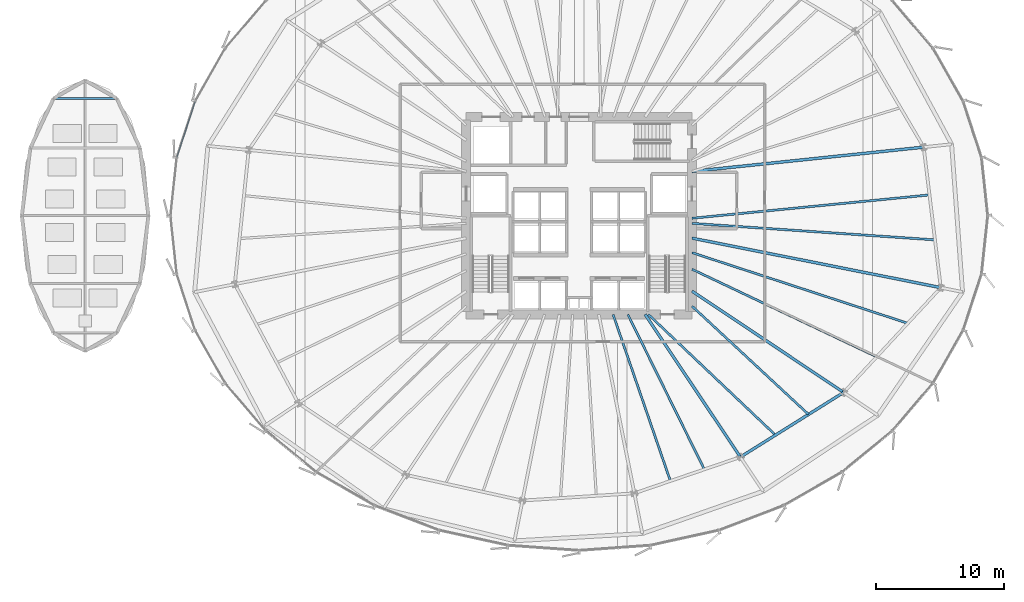
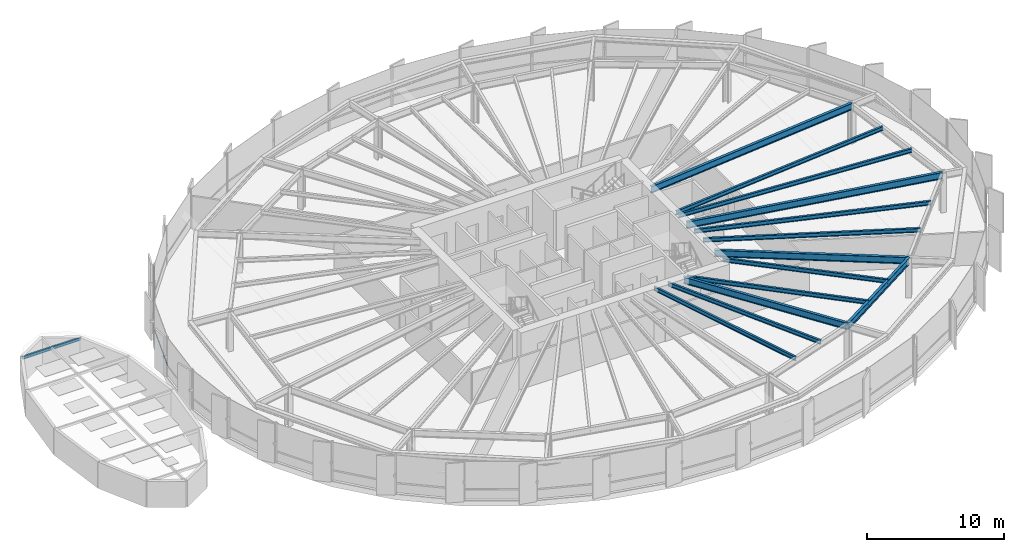
# One storey, part 14 of 38: 13 beams, 2 members, 1 element without a shape of its own.
"""IFC4 building model written with IfcOpenShell, lengths in metres."""

from ifc_helpers import new_model, si_unit, direction, frame, origin, origin_2d, place, context, subcontext, project, spatial, hollow_rectangle, i_section, extrude, source, transform, mapped, material, layer, layer_set, material_profile, profile_set, type_object, element, aggregate, save


model = new_model("IFC4")

# Units and contexts
model_context = context("Model", 3, precision=1e-05, world=origin(), true_north=direction((0.0, 1.0)))
body_context = subcontext(model_context, "Body", "Model", "MODEL_VIEW")
ifc_project = project(units=[si_unit("LENGTHUNIT", "METRE"), si_unit("AREAUNIT", "SQUARE_METRE"), si_unit("VOLUMEUNIT", "CUBIC_METRE"), si_unit("PLANEANGLEUNIT", "RADIAN"), si_unit("MASSUNIT", "GRAM", prefix="KILO"), si_unit("THERMODYNAMICTEMPERATUREUNIT", "KELVIN")], contexts=[model_context])

# Site, building, storey
site_placement = place(None, origin())
site = spatial("IfcSite", under=ifc_project, at=site_placement, CompositionType="ELEMENT")
building_placement = place(site_placement, origin())
building = spatial("IfcBuilding", under=site, at=building_placement, Name="Kethvar Cultural Tower", CompositionType="ELEMENT")
storey_placement = place(building_placement, frame((0.0, 0.0, 29.60009765625)))
storey = spatial("IfcBuildingStorey", under=building, at=storey_placement, Name="L06", CompositionType="ELEMENT", Elevation=29.60009765625)

# Beams
ifc_material_1 = material(Name="Steel S355J2", Category="steel")
ifc_material_profile_1 = material_profile(ifc_material_1, i_section(OverallWidth=0.219970703125, OverallDepth=0.60009765625, WebThickness=0.011962890625, FlangeThickness=0.01904296875, FilletRadius=0.02392578125, at=origin_2d()), Name="Steel S355J2 — IPE600")
ifc_profile_set_1 = profile_set([ifc_material_profile_1], Name="Steel S355J2 — IPE600")
beam_type_1 = type_object("IfcBeamType", Name="BM-IPE600", PredefinedType="BEAM", material=ifc_profile_set_1)
shared_shape_1 = source(origin(), body_context, "Body", "SweptSolid", [
    extrude(i_section(OverallWidth=0.219970703125, OverallDepth=0.60009765625, WebThickness=0.011962890625, FlangeThickness=0.01904296875, FilletRadius=0.02392578125, at=origin_2d()), origin(), (0.0, 0.0, 1.0), 18.155517578125),
])
beam_1_placement = place(storey_placement, frame((55.60009765625, 31.25, 3.247802734375), z_axis=(0.994554710129, 0.104215778847, 0.0), x_axis=(-0.104215778847, 0.994554710129, 0.0)))
element("IfcBeam", 1, at=beam_1_placement, inside=storey, type_object=beam_type_1, Name="L06 Primary Radial Beam RB-01", PredefinedType="BEAM", context=body_context, shape_type="MappedRepresentation", body=[
    mapped(shared_shape_1, transform((0.0, 0.0, 0.0), scale=1.0)),
])
shared_shape_2 = source(origin(), body_context, "Body", "SweptSolid", [
    extrude(i_section(OverallWidth=0.219970703125, OverallDepth=0.60009765625, WebThickness=0.011962890625, FlangeThickness=0.01904296875, FilletRadius=0.02392578125, at=origin_2d()), origin(), (0.0, 0.0, 1.0), 13.365478515625),
])
beam_2_placement = place(storey_placement, frame((51.945068359375, 20.10009765625, 3.247802734375), z_axis=(0.555559834465, -0.831476560301, 0.0), x_axis=(0.831476560301, 0.555559834465, 0.0)))
element("IfcBeam", 2, at=beam_2_placement, inside=storey, type_object=beam_type_1, Name="L06 Primary Radial Beam RB-14", PredefinedType="BEAM", context=body_context, shape_type="MappedRepresentation", body=[
    mapped(shared_shape_2, transform((0.0, 0.0, 0.0), scale=1.0)),
])
shared_shape_3 = source(origin(), body_context, "Body", "SweptSolid", [
    extrude(i_section(OverallWidth=0.219970703125, OverallDepth=0.60009765625, WebThickness=0.011962890625, FlangeThickness=0.01904296875, FilletRadius=0.02392578125, at=origin_2d()), origin(), (0.0, 0.0, 1.0), 14.2138671875),
])
beam_3_placement = place(storey_placement, frame((55.60009765625, 21.920166015625, 3.247802734375), z_axis=(0.831463197362, -0.555579833537, 0.0), x_axis=(0.555579833537, 0.831463197362, 0.0)))
element("IfcBeam", 3, at=beam_3_placement, inside=storey, type_object=beam_type_1, Name="L06 Primary Radial Beam RB-15", PredefinedType="BEAM", context=body_context, shape_type="MappedRepresentation", body=[
    mapped(shared_shape_3, transform((0.0, 0.0, 0.0), scale=1.0)),
])
shared_shape_4 = source(origin(), body_context, "Body", "SweptSolid", [
    extrude(i_section(OverallWidth=0.219970703125, OverallDepth=0.60009765625, WebThickness=0.011962890625, FlangeThickness=0.01904296875, FilletRadius=0.02392578125, at=origin_2d()), origin(), (0.0, 0.0, 1.0), 19.77099609375),
])
beam_4_placement = place(storey_placement, frame((55.60009765625, 26.049560546875, 3.247802734375), z_axis=(0.980784840197, -0.195092535068, 0.0), x_axis=(0.195092535068, 0.980784840197, 0.0)))
element("IfcBeam", 4, at=beam_4_placement, inside=storey, type_object=beam_type_1, Name="L06 Primary Radial Beam RB-16", PredefinedType="BEAM", context=body_context, shape_type="MappedRepresentation", body=[
    mapped(shared_shape_4, transform((0.0, 0.0, 0.0), scale=1.0)),
])
ifc_material_profile_2 = material_profile(ifc_material_1, i_section(OverallWidth=0.169921875, OverallDepth=0.360107421875, WebThickness=0.008056640625, FlangeThickness=0.0126953125, FilletRadius=0.01806640625, at=origin_2d()), Name="Steel S355J2 — IPE360")
ifc_profile_set_2 = profile_set([ifc_material_profile_2], Name="Steel S355J2 — IPE360")
beam_type_2 = type_object("IfcBeamType", Name="BM-J360", PredefinedType="JOIST", material=ifc_profile_set_2)
shared_shape_5 = source(origin(), body_context, "Body", "SweptSolid", [
    extrude(i_section(OverallWidth=0.169921875, OverallDepth=0.360107421875, WebThickness=0.008056640625, FlangeThickness=0.0126953125, FilletRadius=0.01806640625, at=origin_2d()), origin(), (0.0, 0.0, 1.0), 13.7236328125),
])
beam_5_placement = place(storey_placement, frame((49.449462890625, 20.10009765625, 3.367919921875), z_axis=(0.325355191569, -0.945591877778, 0.0), x_axis=(0.945591877778, 0.325355191569, 0.0)))
element("IfcBeam", 5, at=beam_5_placement, inside=storey, type_object=beam_type_2, Name="L06 Composite Floor Joist J-13A", PredefinedType="JOIST", context=body_context, shape_type="MappedRepresentation", body=[
    mapped(shared_shape_5, transform((0.0, 0.0, 0.0), scale=1.0)),
])
shared_shape_6 = source(origin(), body_context, "Body", "SweptSolid", [
    extrude(i_section(OverallWidth=0.169921875, OverallDepth=0.360107421875, WebThickness=0.008056640625, FlangeThickness=0.0126953125, FilletRadius=0.01806640625, at=origin_2d()), origin(), (0.0, 0.0, 1.0), 13.4638671875),
])
beam_6_placement = place(storey_placement, frame((50.6005859375, 20.10009765625, 3.367919921875), z_axis=(0.442609148219, -0.89671463795, 0.0), x_axis=(0.89671463795, 0.442609148219, 0.0)))
element("IfcBeam", 6, at=beam_6_placement, inside=storey, type_object=beam_type_2, Name="L06 Composite Floor Joist J-13B", PredefinedType="JOIST", context=body_context, shape_type="MappedRepresentation", body=[
    mapped(shared_shape_6, transform((0.0, 0.0, 0.0), scale=1.0)),
])
shared_shape_7 = source(origin(), body_context, "Body", "SweptSolid", [
    extrude(i_section(OverallWidth=0.219970703125, OverallDepth=0.60009765625, WebThickness=0.011962890625, FlangeThickness=0.01904296875, FilletRadius=0.02392578125, at=origin_2d()), origin(), (0.0, 0.0, 1.0), 9.493896484375),
])
beam_7_placement = place(storey_placement, frame((59.370361328125, 8.987060546875, 3.247802734375), z_axis=(0.847710685997, 0.530458851228, 0.0), x_axis=(-0.530458851228, 0.847710685997, 0.0)))
element("IfcBeam", 7, at=beam_7_placement, inside=storey, type_object=beam_type_1, Name="L06 Column Ring Tie Beam CR-14", PredefinedType="BEAM", context=body_context, shape_type="MappedRepresentation", body=[
    mapped(shared_shape_7, transform((0.0, 0.0, 0.0), scale=1.0)),
])
shared_shape_8 = source(origin(), body_context, "Body", "SweptSolid", [
    extrude(i_section(OverallWidth=0.169921875, OverallDepth=0.360107421875, WebThickness=0.008056640625, FlangeThickness=0.0126953125, FilletRadius=0.01806640625, at=origin_2d()), origin(), (0.0, 0.0, 1.0), 13.656982421875),
])
beam_8_placement = place(storey_placement, frame((52.199951171875, 20.10009765625, 3.367919921875), z_axis=(0.725392974221, -0.688334971472, 0.0), x_axis=(0.688334971472, 0.725392974221, 0.0)))
element("IfcBeam", 8, at=beam_8_placement, inside=storey, type_object=beam_type_2, Name="L06 Composite Floor Joist J-14A", PredefinedType="JOIST", context=body_context, shape_type="MappedRepresentation", body=[
    mapped(shared_shape_8, transform((0.0, 0.0, 0.0), scale=1.0)),
])
shared_shape_9 = source(origin(), body_context, "Body", "SweptSolid", [
    extrude(i_section(OverallWidth=0.169921875, OverallDepth=0.360107421875, WebThickness=0.008056640625, FlangeThickness=0.0126953125, FilletRadius=0.01806640625, at=origin_2d()), origin(), (0.0, 0.0, 1.0), 12.3974609375),
])
beam_9_placement = place(storey_placement, frame((55.60009765625, 20.75, 3.367919921875), z_axis=(0.732566203092, -0.68069578968, 0.0), x_axis=(0.68069578968, 0.732566203092, 0.0)))
element("IfcBeam", 9, at=beam_9_placement, inside=storey, type_object=beam_type_2, Name="L06 Composite Floor Joist J-14B", PredefinedType="JOIST", context=body_context, shape_type="MappedRepresentation", body=[
    mapped(shared_shape_9, transform((0.0, 0.0, 0.0), scale=1.0)),
])
shared_shape_10 = source(origin(), body_context, "Body", "SweptSolid", [
    extrude(i_section(OverallWidth=0.169921875, OverallDepth=0.360107421875, WebThickness=0.008056640625, FlangeThickness=0.0126953125, FilletRadius=0.01806640625, at=origin_2d()), origin(), (0.0, 0.0, 1.0), 15.9296875),
])
beam_10_placement = place(storey_placement, frame((55.60009765625, 23.626708984375, 3.367919921875), z_axis=(0.903539576646, -0.428504648089, 0.0), x_axis=(0.428504648089, 0.903539576646, 0.0)))
element("IfcBeam", 10, at=beam_10_placement, inside=storey, type_object=beam_type_2, Name="L06 Composite Floor Joist J-15A", PredefinedType="JOIST", context=body_context, shape_type="MappedRepresentation", body=[
    mapped(shared_shape_10, transform((0.0, 0.0, 0.0), scale=1.0)),
])
shared_shape_11 = source(origin(), body_context, "Body", "SweptSolid", [
    extrude(i_section(OverallWidth=0.169921875, OverallDepth=0.360107421875, WebThickness=0.008056640625, FlangeThickness=0.0126953125, FilletRadius=0.01806640625, at=origin_2d()), origin(), (0.0, 0.0, 1.0), 17.6943359375),
])
beam_11_placement = place(storey_placement, frame((55.60009765625, 24.91943359375, 3.367919921875), z_axis=(0.950378958587, -0.311094575773, 0.0), x_axis=(0.311094575773, 0.950378958587, 0.0)))
element("IfcBeam", 11, at=beam_11_placement, inside=storey, type_object=beam_type_2, Name="L06 Composite Floor Joist J-15B", PredefinedType="JOIST", context=body_context, shape_type="MappedRepresentation", body=[
    mapped(shared_shape_11, transform((0.0, 0.0, 0.0), scale=1.0)),
])
shared_shape_12 = source(origin(), body_context, "Body", "SweptSolid", [
    extrude(i_section(OverallWidth=0.169921875, OverallDepth=0.360107421875, WebThickness=0.008056640625, FlangeThickness=0.0126953125, FilletRadius=0.01806640625, at=origin_2d()), origin(), (0.0, 0.0, 1.0), 18.981201171875),
])
beam_12_placement = place(storey_placement, frame((55.60009765625, 27.2021484375, 3.367919921875), z_axis=(0.997699141247, -0.067796928805, 0.0), x_axis=(0.067796928805, 0.997699141247, 0.0)))
element("IfcBeam", 12, at=beam_12_placement, inside=storey, type_object=beam_type_2, Name="L06 Composite Floor Joist J-16A", PredefinedType="JOIST", context=body_context, shape_type="MappedRepresentation", body=[
    mapped(shared_shape_12, transform((0.0, 0.0, 0.0), scale=1.0)),
])
shared_shape_13 = source(origin(), body_context, "Body", "SweptSolid", [
    extrude(i_section(OverallWidth=0.169921875, OverallDepth=0.360107421875, WebThickness=0.008056640625, FlangeThickness=0.0126953125, FilletRadius=0.01806640625, at=origin_2d()), origin(), (0.0, 0.0, 1.0), 18.599609375),
])
beam_13_placement = place(storey_placement, frame((55.60009765625, 27.60009765625, 3.367919921875), z_axis=(0.995205855092, 0.097802382335, 0.0), x_axis=(-0.097802382335, 0.995205855092, 0.0)))
element("IfcBeam", 13, at=beam_13_placement, inside=storey, type_object=beam_type_2, Name="L06 Composite Floor Joist J-16B", PredefinedType="JOIST", context=body_context, shape_type="MappedRepresentation", body=[
    mapped(shared_shape_13, transform((0.0, 0.0, 0.0), scale=1.0)),
])

# Member
ifc_material_profile_3 = material_profile(ifc_material_1, hollow_rectangle(XDim=0.14990234375, YDim=0.25, WallThickness=0.010009765625, InnerFilletRadius=0.010009765625, OuterFilletRadius=0.02001953125, at=origin_2d()), Name="Steel S355J2 — RHS250x150x10")
ifc_profile_set_3 = profile_set([ifc_material_profile_3], Name="Steel S355J2 — RHS250x150x10")
member_type_1 = type_object("IfcMemberType", Name="MB-PUR-250", PredefinedType="PURLIN", material=ifc_profile_set_3)
shared_shape_14 = source(origin(), body_context, "Body", "SweptSolid", [
    extrude(hollow_rectangle(XDim=0.14990234375, YDim=0.25, WallThickness=0.010009765625, InnerFilletRadius=0.010009765625, OuterFilletRadius=0.02001953125, at=origin_2d()), origin(), (0.0, 0.0, 1.0), 4.949951171875),
])
member_1_placement = place(storey_placement, frame((5.824951171875, 36.9365234375, 2.2099609375), z_axis=(1.0, 0.0, 0.0), x_axis=(0.0, 1.0, 0.0)))
element("IfcMember", 14, at=member_1_placement, inside=storey, type_object=member_type_1, Name="Atrium Skylight Purlin PR-04", PredefinedType="PURLIN", context=body_context, shape_type="MappedRepresentation", body=[
    mapped(shared_shape_14, transform((0.0, 0.0, 0.0), scale=1.0)),
])

# Curtain wall, member
ifc_material_2 = material(Name="Aluminium 6063-T6", Category="aluminium")
ifc_layer = layer(ifc_material_2, 0.179931640625, Name="Aluminium 6063-T6", Category="aluminium")
ifc_layer_set = layer_set([ifc_layer], Name="Aluminium 6063-T6 (180 mm)")
curtain_wall_type = type_object("IfcCurtainWallType", Name="CW-SYS-02-Z1", PredefinedType="NOTDEFINED", material=ifc_layer_set)
curtain_wall_placement = place(storey_placement, origin())
curtain_wall = element("IfcCurtainWall", 15, at=curtain_wall_placement, inside=storey, type_object=curtain_wall_type, Name="L06 Curtain Wall Run 03", PredefinedType="NOTDEFINED")
ifc_material_profile_4 = material_profile(ifc_material_2, hollow_rectangle(XDim=0.054931640625, YDim=0.1201171875, WallThickness=0.00390625, at=origin_2d()), Name="Aluminium 6063-T6 — RHS120x55x4")
ifc_profile_set_4 = profile_set([ifc_material_profile_4], Name="Aluminium 6063-T6 — RHS120x55x4")
member_type_2 = type_object("IfcMemberType", Name="CW-SYS-02-Z1-TRN", PredefinedType="USERDEFINED", material=ifc_profile_set_4)
shared_shape_15 = source(origin(), body_context, "Body", "SweptSolid", [
    extrude(hollow_rectangle(XDim=0.054931640625, YDim=0.1201171875, WallThickness=0.00390625, at=origin_2d()), origin(), (0.0, 0.0, 1.0), 4.547607421875),
])
member_2_placement = place(storey_placement, frame((16.866943359375, 36.67919921875, 0.949951171875), z_axis=(-0.310681958797, -0.9505139244, 0.0), x_axis=(0.9505139244, -0.310681958797, 0.0)))
member_2 = element("IfcMember", 16, at=member_2_placement, type_object=member_type_2, Name="CW-L06-R03 Transom 5", ObjectType="TRANSOM", PredefinedType="USERDEFINED", context=body_context, shape_type="MappedRepresentation", body=[
    mapped(shared_shape_15, transform((0.0, 0.0, 0.0), scale=1.0)),
])
aggregate(curtain_wall, [member_2])

save(model, "model.ifc")
